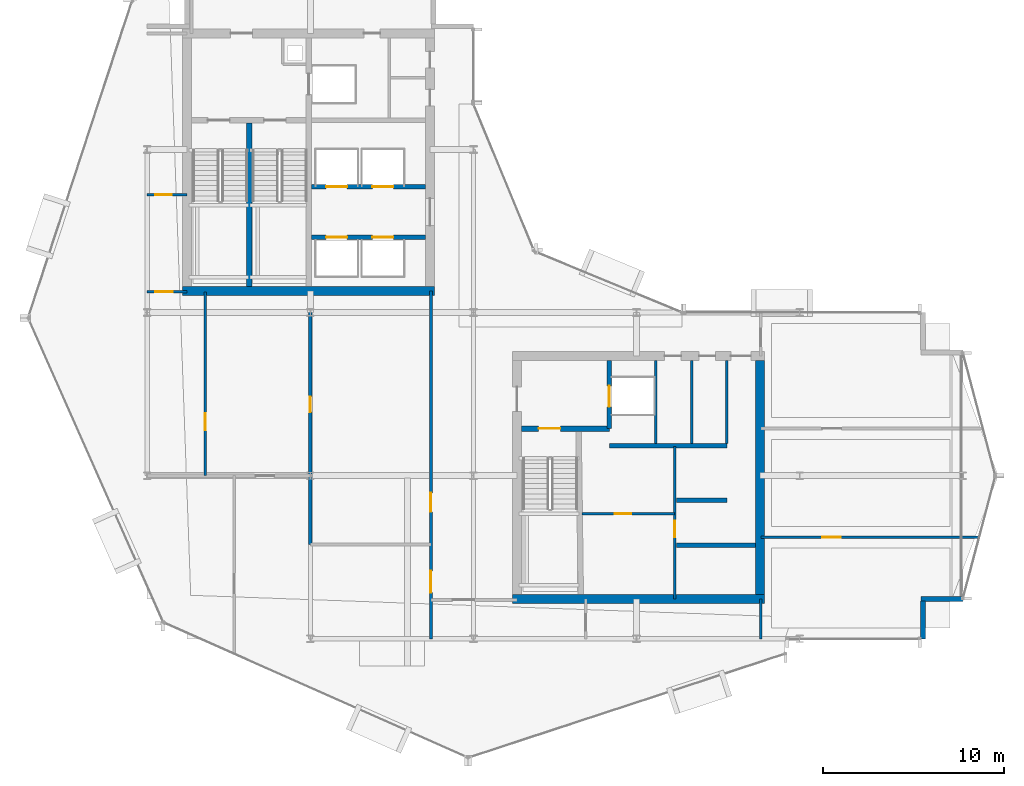
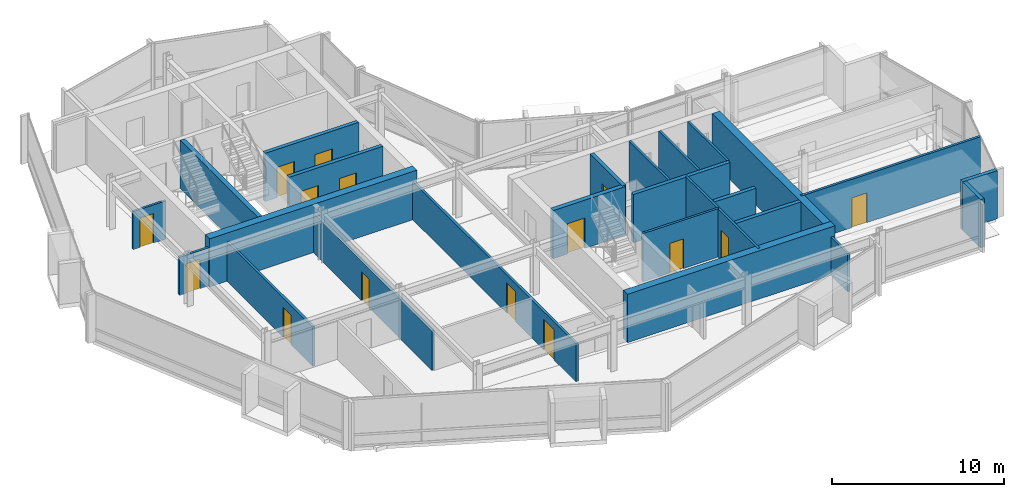
# One storey, part 20 of 28: 25 walls, 15 doors, 15 openings.
"""IFC4 building model written with IfcOpenShell, lengths in metres."""

from ifc_helpers import new_model, si_unit, direction, frame, frame_2d, origin, place, context, subcontext, project, spatial, rectangle, extrude, material, layer, layer_set, type_object, element, fill, save


model = new_model("IFC4")

# Units and contexts
model_context = context("Model", 3, precision=1e-05, world=origin(), true_north=direction((0.0, 1.0)))
body_context = subcontext(model_context, "Body", "Model", "MODEL_VIEW")
ifc_project = project(units=[si_unit("LENGTHUNIT", "METRE"), si_unit("AREAUNIT", "SQUARE_METRE"), si_unit("VOLUMEUNIT", "CUBIC_METRE"), si_unit("PLANEANGLEUNIT", "RADIAN"), si_unit("MASSUNIT", "GRAM", prefix="KILO")], contexts=[model_context])

# Site, building, storey
site_placement = place(None, origin())
site = spatial("IfcSite", under=ifc_project, at=site_placement, CompositionType="ELEMENT")
building_placement = place(site_placement, origin())
building = spatial("IfcBuilding", under=site, at=building_placement, Name="Solvaryn Broadcast Tower", CompositionType="ELEMENT")
storey_placement = place(building_placement, frame((0.0, 0.0, 206.199951171875)))
storey = spatial("IfcBuildingStorey", under=building, at=storey_placement, Name="L51", CompositionType="ELEMENT", Elevation=206.199951171875)

# Walls
ifc_material_1 = material(Name="Concrete f'c 70 MPa", Category="concrete")
ifc_layer_1 = layer(ifc_material_1, 0.5)
ifc_layer_set_1 = layer_set([ifc_layer_1], Name="CW-SHEAR-500")
wall_type_1 = type_object("IfcWallType", Name="CW-SHEAR-500", PredefinedType="SHEAR", material=ifc_layer_set_1)
for number, where, z_axis, x_axis, name in (
    (1, (10.949951171875, 28.199951171875, 0.0), (0.0, 0.0, 1.0), (1.0, 0.0, 0.0), "L51 West Core South Shear Wall"),
    (2, (29.14990234375, 11.199951171875, 0.0), (0.0, 0.0, 1.0), (1.0, 0.0, 0.0), "L51 East Core South Shear Wall"),
):
    element("IfcWall", number, at=place(storey_placement, frame(where, z_axis=z_axis, x_axis=x_axis)), inside=storey, type_object=wall_type_1, Name=name, PredefinedType="SHEAR", context=body_context, shape_type="SweptSolid", body=[
        extrude(rectangle(XDim=13.900146484375, YDim=0.5, at=frame_2d((6.9501953125, 0.0))), origin(), (0.0, 0.0, 1.0), 3.420166015625),
    ])
wall_1_placement = place(storey_placement, frame((42.800048828125, 11.449951171875, 0.0), z_axis=(0.0, 0.0, 1.0), x_axis=(0.0, 1.0, 0.0)))
element("IfcWall", 3, at=wall_1_placement, inside=storey, type_object=wall_type_1, Name="L51 East Core East Shear Wall", PredefinedType="SHEAR", context=body_context, shape_type="SweptSolid", body=[
    extrude(rectangle(XDim=12.900146484375, YDim=0.5, at=frame_2d((6.4501953125, 0.0))), origin(), (0.0, 0.0, 1.0), 3.420166015625),
])
ifc_material_2 = material(Name="Concrete f'c 50 MPa", Category="concrete")
ifc_layer_2 = layer(ifc_material_2, 0.260009765625)
ifc_layer_set_2 = layer_set([ifc_layer_2], Name="EW-PIER-260")
wall_type_2 = type_object("IfcWallType", Name="EW-PIER-260", PredefinedType="SOLIDWALL", material=ifc_layer_set_2)
wall_2_placement = place(storey_placement, frame((51.800048828125, 9.0, 0.0), z_axis=(0.0, 0.0, 1.0), x_axis=(0.0, 1.0, 0.0)))
element("IfcWall", 4, at=wall_2_placement, inside=storey, type_object=wall_type_2, Name="L51 Notched Corner Pier Wall NSE1", PredefinedType="SOLIDWALL", context=body_context, shape_type="SweptSolid", body=[
    extrude(rectangle(XDim=2.080078125, YDim=0.260009765625, at=frame_2d((1.0400390625, 0.0))), origin(), (0.0, 0.0, 1.0), 3.420166015625),
])
wall_3_placement = place(storey_placement, frame((51.679931640625, 11.199951171875, 0.0), z_axis=(0.0, 0.0, 1.0), x_axis=(1.0, 0.0, 0.0)))
element("IfcWall", 5, at=wall_3_placement, inside=storey, type_object=wall_type_2, Name="L51 Notched Corner Pier Wall NSE2", PredefinedType="SOLIDWALL", context=body_context, shape_type="SweptSolid", body=[
    extrude(rectangle(XDim=2.320068359375, YDim=0.260009765625, at=frame_2d((1.16015625, 0.0))), origin(), (0.0, 0.0, 1.0), 3.420166015625),
])

# Wall, opening, door
ifc_material_3 = material(Name="Metal-Stud Service Core Partition")
ifc_layer_3 = layer(ifc_material_3, 0.14990234375)
ifc_layer_set_3 = layer_set([ifc_layer_3], Name="IW-PART-150")
wall_type_3 = type_object("IfcWallType", Name="IW-PART-150", PredefinedType="PARTITIONING", material=ifc_layer_set_3)
wall_4_placement = place(storey_placement, frame((33.0, 15.89990234375, 0.0), z_axis=(0.0, 0.0, 1.0), x_axis=(1.0, 0.0, 0.0)))
wall_4 = element("IfcWall", 6, at=wall_4_placement, inside=storey, type_object=wall_type_3, Name="L51 Interior Partition IW-L51-RPL-H", PredefinedType="PARTITIONING", context=body_context, shape_type="SweptSolid", body=[
    extrude(rectangle(XDim=5.10009765625, YDim=0.14990234375, at=frame_2d((2.550048828125, 0.0))), origin(), (0.0, 0.0, 1.0), 3.420166015625),
])
opening_1_placement = place(wall_4_placement, frame((1.800048828125, 0.0, 0.0)))
opening_1 = element("IfcOpeningElement", 7, at=opening_1_placement, cuts=wall_4, Name="Opening FD60C", PredefinedType="OPENING", context=body_context, shape_type="SweptSolid", body=[
    extrude(rectangle(XDim=0.89990234375, YDim=2.10009765625, at=frame_2d((0.449951171875, 1.050048828125))), frame((0.0, 0.0849609375, 0.0), z_axis=(0.0, -1.0, 0.0), x_axis=(1.0, 0.0, 0.0)), (0.0, 0.0, 1.0), 0.169921875),
])
ifc_material_4 = material(Name="Flush Acoustic Steel and Timber Door Assembly", Category="steel")
door_type_1 = type_object("IfcDoorType", Name="FD60-SERV-900X2100", OperationType="NOTDEFINED", PredefinedType="DOOR", material=ifc_material_4)
door_1_placement = place(opening_1_placement, origin())
door_1 = element("IfcDoor", 8, at=door_1_placement, inside=storey, type_object=door_type_1, Name="L51 Door DR-L51-RPL1", OperationType="SINGLE_SWING_LEFT", OverallHeight=2.10009765625, OverallWidth=0.89990234375, PredefinedType="DOOR", context=body_context, shape_type="SweptSolid", body=[
    extrude(rectangle(XDim=0.89990234375, YDim=2.10009765625, at=frame_2d((0.449951171875, 1.050048828125))), frame((0.0, 0.02490234375, 0.0), z_axis=(0.0, -1.0, 0.0), x_axis=(1.0, 0.0, 0.0)), (0.0, 0.0, 1.0), 0.050048828125),
])
fill(opening_1, door_1)

wall_5_placement = place(storey_placement, frame((38.10009765625, 11.199951171875, 0.0), z_axis=(0.0, 0.0, 1.0), x_axis=(0.0, 1.0, 0.0)))
wall_5 = element("IfcWall", 9, at=wall_5_placement, inside=storey, type_object=wall_type_3, Name="L51 Interior Partition IW-L51-RPL-E", PredefinedType="PARTITIONING", context=body_context, shape_type="SweptSolid", body=[
    extrude(rectangle(XDim=8.400146484375, YDim=0.14990234375, at=frame_2d((4.2001953125, 0.0))), origin(), (0.0, 0.0, 1.0), 3.420166015625),
])
opening_2_placement = place(wall_5_placement, frame((3.39990234375, 0.0, 0.0)))
opening_2 = element("IfcOpeningElement", 10, at=opening_2_placement, cuts=wall_5, Name="Opening FD60C", PredefinedType="OPENING", context=body_context, shape_type="SweptSolid", body=[
    extrude(rectangle(XDim=0.89990234375, YDim=2.10009765625, at=frame_2d((0.449951171875, 1.050048828125))), frame((0.0, 0.0849609375, 0.0), z_axis=(0.0, -1.0, 0.0), x_axis=(1.0, 0.0, 0.0)), (0.0, 0.0, 1.0), 0.169921875),
])
door_2_placement = place(opening_2_placement, origin())
door_2 = element("IfcDoor", 11, at=door_2_placement, inside=storey, type_object=door_type_1, Name="L51 Door DR-L51-RPL2", OperationType="SINGLE_SWING_RIGHT", OverallHeight=2.10009765625, OverallWidth=0.89990234375, PredefinedType="DOOR", context=body_context, shape_type="SweptSolid", body=[
    extrude(rectangle(XDim=0.89990234375, YDim=2.10009765625, at=frame_2d((0.449951171875, 1.050048828125))), frame((0.0, 0.02490234375, 0.0), z_axis=(0.0, -1.0, 0.0), x_axis=(1.0, 0.0, 0.0)), (0.0, 0.0, 1.0), 0.050048828125),
])
fill(opening_2, door_2)

# Walls
for number, where, z_axis, x_axis, name in (
    (12, (37.050048828125, 19.780029296875, 0.0), (0.0, 0.0, 1.0), (0.0, 1.0, 0.0), "L51 Interior Partition IW-L51-CE-FL2E"),
    (13, (39.050048828125, 19.780029296875, 0.0), (0.0, 0.0, 1.0), (0.0, 1.0, 0.0), "L51 Interior Partition IW-L51-CE-V1"),
    (14, (40.97998046875, 19.780029296875, 0.0), (0.0, 0.0, 1.0), (0.0, 1.0, 0.0), "L51 Interior Partition IW-L51-CE-V3"),
):
    element("IfcWall", number, at=place(storey_placement, frame(where, z_axis=z_axis, x_axis=x_axis)), inside=storey, type_object=wall_type_3, Name=name, PredefinedType="PARTITIONING", context=body_context, shape_type="SweptSolid", body=[
        extrude(rectangle(XDim=4.570068359375, YDim=0.14990234375, at=frame_2d((2.28515625, 0.0))), origin(), (0.0, 0.0, 1.0), 3.420166015625),
    ])

# Wall, opening, door
wall_6_placement = place(storey_placement, frame((9.0, 33.5, 0.0), z_axis=(0.0, 0.0, 1.0), x_axis=(1.0, 0.0, 0.0)))
wall_6 = element("IfcWall", 15, at=wall_6_placement, inside=storey, type_object=wall_type_3, Name="L51 Interior Partition IW-L51-WM-M", PredefinedType="PARTITIONING", context=body_context, shape_type="SweptSolid", body=[
    extrude(rectangle(XDim=2.199951171875, YDim=0.14990234375, at=frame_2d((1.10009765625, 0.0))), origin(), (0.0, 0.0, 1.0), 2.70703125),
])
opening_3_placement = place(wall_6_placement, frame((0.449951171875, 0.0, 0.0)))
opening_3 = element("IfcOpeningElement", 16, at=opening_3_placement, cuts=wall_6, Name="Opening FD60C", PredefinedType="OPENING", context=body_context, shape_type="SweptSolid", body=[
    extrude(rectangle(XDim=0.89990234375, YDim=2.10009765625, at=frame_2d((0.449951171875, 1.050048828125))), frame((0.0, 0.0849609375, 0.0), z_axis=(0.0, -1.0, 0.0), x_axis=(1.0, 0.0, 0.0)), (0.0, 0.0, 1.0), 0.169921875),
])
door_3_placement = place(opening_3_placement, origin())
door_3 = element("IfcDoor", 17, at=door_3_placement, inside=storey, type_object=door_type_1, Name="L51 Door DR-L51-WM1", OperationType="SINGLE_SWING_LEFT", OverallHeight=2.10009765625, OverallWidth=0.89990234375, PredefinedType="DOOR", context=body_context, shape_type="SweptSolid", body=[
    extrude(rectangle(XDim=0.89990234375, YDim=2.10009765625, at=frame_2d((0.449951171875, 1.050048828125))), frame((0.0, 0.02490234375, 0.0), z_axis=(0.0, -1.0, 0.0), x_axis=(1.0, 0.0, 0.0)), (0.0, 0.0, 1.0), 0.050048828125),
])
fill(opening_3, door_3)

ifc_material_5 = material(Name="Metal-Stud Gypsum Office Partition")
ifc_layer_4 = layer(ifc_material_5, 0.159912109375)
ifc_layer_set_4 = layer_set([ifc_layer_4], Name="IW-PART-160")
wall_type_4 = type_object("IfcWallType", Name="IW-PART-160", PredefinedType="PARTITIONING", material=ifc_layer_set_4)
wall_7_placement = place(storey_placement, frame((9.0, 28.14990234375, 0.0), z_axis=(0.0, 0.0, 1.0), x_axis=(1.0, 0.0, 0.0)))
wall_7 = element("IfcWall", 18, at=wall_7_placement, inside=storey, type_object=wall_type_4, Name="L51 Interior Partition IW-L51-WM-S", PredefinedType="PARTITIONING", context=body_context, shape_type="SweptSolid", body=[
    extrude(rectangle(XDim=2.199951171875, YDim=0.159912109375, at=frame_2d((1.10009765625, 0.0))), origin(), (0.0, 0.0, 1.0), 2.70703125),
])
opening_4_placement = place(wall_7_placement, frame((0.449951171875, 0.0, 0.0)))
opening_4 = element("IfcOpeningElement", 19, at=opening_4_placement, cuts=wall_7, Name="Opening ID01", PredefinedType="OPENING", context=body_context, shape_type="SweptSolid", body=[
    extrude(rectangle(XDim=0.949951171875, YDim=2.10009765625, at=frame_2d((0.47509765625, 1.050048828125))), frame((0.0, 0.090087890625, 0.0), z_axis=(0.0, -1.0, 0.0), x_axis=(1.0, 0.0, 0.0)), (0.0, 0.0, 1.0), 0.179931640625),
])
ifc_material_6 = material(Name="Flush Acoustic Steel and Timber Door Assembly", Category="steel")
door_type_2 = type_object("IfcDoorType", Name="ID-01-950X2100", OperationType="NOTDEFINED", PredefinedType="DOOR", material=ifc_material_6)
door_4_placement = place(opening_4_placement, origin())
door_4 = element("IfcDoor", 20, at=door_4_placement, inside=storey, type_object=door_type_2, Name="L51 Door DR-L51-WM0", OperationType="SINGLE_SWING_RIGHT", OverallHeight=2.10009765625, OverallWidth=0.949951171875, PredefinedType="DOOR", context=body_context, shape_type="SweptSolid", body=[
    extrude(rectangle(XDim=0.949951171875, YDim=2.10009765625, at=frame_2d((0.47509765625, 1.050048828125))), frame((0.0, 0.02490234375, 0.0), z_axis=(0.0, -1.0, 0.0), x_axis=(1.0, 0.0, 0.0)), (0.0, 0.0, 1.0), 0.050048828125),
])
fill(opening_4, door_4)

# Wall, openings, doors
wall_8_placement = place(storey_placement, frame((24.64990234375, 9.0, 0.0), z_axis=(0.0, 0.0, 1.0), x_axis=(0.0, 1.0, 0.0)))
wall_8 = element("IfcWall", 21, at=wall_8_placement, inside=storey, type_object=wall_type_4, Name="L51 Interior Partition IW-L51-SW-EB", PredefinedType="PARTITIONING", context=body_context, shape_type="SweptSolid", body=[
    extrude(rectangle(XDim=19.199951171875, YDim=0.159912109375, at=frame_2d((9.60009765625, 0.0))), origin(), (0.0, 0.0, 1.0), 2.70703125),
])
opening_5_placement = place(wall_8_placement, frame((7.0, 0.0, 0.0)))
opening_5 = element("IfcOpeningElement", 22, at=opening_5_placement, cuts=wall_8, Name="Opening ID03", PredefinedType="OPENING", context=body_context, shape_type="SweptSolid", body=[
    extrude(rectangle(XDim=1.050048828125, YDim=2.14990234375, at=frame_2d((0.52490234375, 1.074951171875))), frame((0.0, 0.090087890625, 0.0), z_axis=(0.0, -1.0, 0.0), x_axis=(1.0, 0.0, 0.0)), (0.0, 0.0, 1.0), 0.179931640625),
])
opening_6_placement = place(wall_8_placement, frame((2.550048828125, 0.0, 0.0)))
opening_6 = element("IfcOpeningElement", 23, at=opening_6_placement, cuts=wall_8, Name="Opening ID04", PredefinedType="OPENING", context=body_context, shape_type="SweptSolid", body=[
    extrude(rectangle(XDim=1.199951171875, YDim=2.14990234375, at=frame_2d((0.60009765625, 1.074951171875))), frame((0.0, 0.090087890625, 0.0), z_axis=(0.0, -1.0, 0.0), x_axis=(1.0, 0.0, 0.0)), (0.0, 0.0, 1.0), 0.179931640625),
])
ifc_material_7 = material(Name="Flush Acoustic Steel and Timber Door Assembly", Category="steel")
door_type_3 = type_object("IfcDoorType", Name="ID-03-1050X2150", OperationType="NOTDEFINED", PredefinedType="DOOR", material=ifc_material_7)
door_5_placement = place(opening_5_placement, origin())
door_5 = element("IfcDoor", 24, at=door_5_placement, inside=storey, type_object=door_type_3, Name="L51 Door DR-L51-SWL-E1", OperationType="SINGLE_SWING_RIGHT", OverallHeight=2.14990234375, OverallWidth=1.050048828125, PredefinedType="DOOR", context=body_context, shape_type="SweptSolid", body=[
    extrude(rectangle(XDim=1.050048828125, YDim=2.14990234375, at=frame_2d((0.52490234375, 1.074951171875))), frame((0.0, 0.02490234375, 0.0), z_axis=(0.0, -1.0, 0.0), x_axis=(1.0, 0.0, 0.0)), (0.0, 0.0, 1.0), 0.050048828125),
])
fill(opening_5, door_5)
ifc_material_8 = material(Name="Flush Acoustic Steel and Timber Door Assembly", Category="steel")
door_type_4 = type_object("IfcDoorType", Name="ID-04-1200X2150", OperationType="NOTDEFINED", PredefinedType="DOOR", material=ifc_material_8)
door_6_placement = place(opening_6_placement, origin())
door_6 = element("IfcDoor", 25, at=door_6_placement, inside=storey, type_object=door_type_4, Name="L51 Door DR-L51-SWL-E2", OperationType="SINGLE_SWING_LEFT", OverallHeight=2.14990234375, OverallWidth=1.199951171875, PredefinedType="DOOR", context=body_context, shape_type="SweptSolid", body=[
    extrude(rectangle(XDim=1.199951171875, YDim=2.14990234375, at=frame_2d((0.60009765625, 1.074951171875))), frame((0.0, 0.02490234375, 0.0), z_axis=(0.0, -1.0, 0.0), x_axis=(1.0, 0.0, 0.0)), (0.0, 0.0, 1.0), 0.050048828125),
])
fill(opening_6, door_6)

# Wall, opening, door
wall_9_placement = place(storey_placement, frame((12.199951171875, 18.0, 0.0), z_axis=(0.0, 0.0, 1.0), x_axis=(0.0, 1.0, 0.0)))
wall_9 = element("IfcWall", 26, at=wall_9_placement, inside=storey, type_object=wall_type_4, Name="L51 Interior Partition IW-L51-SW-NWV", PredefinedType="PARTITIONING", context=body_context, shape_type="SweptSolid", body=[
    extrude(rectangle(XDim=10.1298828125, YDim=0.159912109375, at=frame_2d((5.06494140625, 0.0))), origin(), (0.0, 0.0, 1.0), 2.7890625),
])
opening_7_placement = place(wall_9_placement, frame((2.5, 0.0, 0.0)))
opening_7 = element("IfcOpeningElement", 27, at=opening_7_placement, cuts=wall_9, Name="Opening ID01", PredefinedType="OPENING", context=body_context, shape_type="SweptSolid", body=[
    extrude(rectangle(XDim=0.949951171875, YDim=2.10009765625, at=frame_2d((0.47509765625, 1.050048828125))), frame((0.0, 0.090087890625, 0.0), z_axis=(0.0, -1.0, 0.0), x_axis=(1.0, 0.0, 0.0)), (0.0, 0.0, 1.0), 0.179931640625),
])
door_7_placement = place(opening_7_placement, origin())
door_7 = element("IfcDoor", 28, at=door_7_placement, inside=storey, type_object=door_type_2, Name="L51 Door DR-L51-SWL-NW", OperationType="SINGLE_SWING_LEFT", OverallHeight=2.10009765625, OverallWidth=0.949951171875, PredefinedType="DOOR", context=body_context, shape_type="SweptSolid", body=[
    extrude(rectangle(XDim=0.949951171875, YDim=2.10009765625, at=frame_2d((0.47509765625, 1.050048828125))), frame((0.0, 0.02490234375, 0.0), z_axis=(0.0, -1.0, 0.0), x_axis=(1.0, 0.0, 0.0)), (0.0, 0.0, 1.0), 0.050048828125),
])
fill(opening_7, door_7)

# Wall
wall_10_placement = place(storey_placement, frame((42.85009765625, 9.0, 0.0), z_axis=(0.0, 0.0, 1.0), x_axis=(0.0, 1.0, 0.0)))
element("IfcWall", 29, at=wall_10_placement, inside=storey, type_object=wall_type_4, Name="L51 Interior Partition IW-L51-SC-E", PredefinedType="PARTITIONING", context=body_context, shape_type="SweptSolid", body=[
    extrude(rectangle(XDim=2.199951171875, YDim=0.159912109375, at=frame_2d((1.10009765625, 0.0))), origin(), (0.0, 0.0, 1.0), 2.70703125),
])

# Wall, opening, door
wall_11_placement = place(storey_placement, frame((42.85009765625, 14.60009765625, 0.0), z_axis=(0.0, 0.0, 1.0), x_axis=(1.0, 0.0, 0.0)))
wall_11 = element("IfcWall", 30, at=wall_11_placement, inside=storey, type_object=wall_type_4, Name="L51 Interior Partition IW-L51-EW-H1", PredefinedType="PARTITIONING", context=body_context, shape_type="SweptSolid", body=[
    extrude(rectangle(XDim=12.0498046875, YDim=0.159912109375, at=frame_2d((6.02490234375, 0.0))), origin(), (0.0, 0.0, 1.0), 3.420166015625),
])
opening_8_placement = place(wall_11_placement, frame((3.39990234375, 0.0, 0.0)))
opening_8 = element("IfcOpeningElement", 31, at=opening_8_placement, cuts=wall_11, Name="Opening ID02", PredefinedType="OPENING", context=body_context, shape_type="SweptSolid", body=[
    extrude(rectangle(XDim=1.0, YDim=2.10009765625, at=frame_2d((0.5, 1.050048828125))), frame((0.0, 0.090087890625, 0.0), z_axis=(0.0, -1.0, 0.0), x_axis=(1.0, 0.0, 0.0)), (0.0, 0.0, 1.0), 0.179931640625),
])
ifc_material_9 = material(Name="Flush Acoustic Steel and Timber Door Assembly", Category="steel")
door_type_5 = type_object("IfcDoorType", Name="ID-02-1000X2100", OperationType="NOTDEFINED", PredefinedType="DOOR", material=ifc_material_9)
door_8_placement = place(opening_8_placement, origin())
door_8 = element("IfcDoor", 32, at=door_8_placement, inside=storey, type_object=door_type_5, Name="L51 Door DR-L51-EW-1", OperationType="SINGLE_SWING_LEFT", OverallHeight=2.10009765625, OverallWidth=1.0, PredefinedType="DOOR", context=body_context, shape_type="SweptSolid", body=[
    extrude(rectangle(XDim=1.0, YDim=2.10009765625, at=frame_2d((0.5, 1.050048828125))), frame((0.0, 0.02490234375, 0.0), z_axis=(0.0, -1.0, 0.0), x_axis=(1.0, 0.0, 0.0)), (0.0, 0.0, 1.0), 0.050048828125),
])
fill(opening_8, door_8)

ifc_material_10 = material(Name="Acoustic Metal-Stud Gypsum Partition")
ifc_layer_5 = layer(ifc_material_10, 0.179931640625)
ifc_layer_set_5 = layer_set([ifc_layer_5], Name="IW-PART-180")
wall_type_5 = type_object("IfcWallType", Name="IW-PART-180", PredefinedType="PARTITIONING", material=ifc_layer_set_5)
wall_12_placement = place(storey_placement, frame((18.0, 14.199951171875, 0.0), z_axis=(0.0, 0.0, 1.0), x_axis=(0.0, 1.0, 0.0)))
wall_12 = element("IfcWall", 33, at=wall_12_placement, inside=storey, type_object=wall_type_5, Name="L51 Interior Partition IW-L51-SW-LV", PredefinedType="PARTITIONING", context=body_context, shape_type="SweptSolid", body=[
    extrude(rectangle(XDim=13.929931640625, YDim=0.179931640625, at=frame_2d((6.96484375, 0.0))), origin(), (0.0, 0.0, 1.0), 2.7890625),
])
opening_9_placement = place(wall_12_placement, frame((7.300048828125, 0.0, 0.0)))
opening_9 = element("IfcOpeningElement", 34, at=opening_9_placement, cuts=wall_12, Name="Opening ID07", PredefinedType="OPENING", context=body_context, shape_type="SweptSolid", body=[
    extrude(rectangle(XDim=0.860107421875, YDim=2.050048828125, at=frame_2d((0.43017578125, 1.02490234375))), frame((0.0, 0.099853515625, 0.0), z_axis=(0.0, -1.0, 0.0), x_axis=(1.0, 0.0, 0.0)), (0.0, 0.0, 1.0), 0.199951171875),
])
ifc_material_11 = material(Name="Flush Acoustic Steel and Timber Door Assembly", Category="steel")
door_type_6 = type_object("IfcDoorType", Name="ID-07-860X2050", OperationType="NOTDEFINED", PredefinedType="DOOR", material=ifc_material_11)
door_9_placement = place(opening_9_placement, origin())
door_9 = element("IfcDoor", 35, at=door_9_placement, inside=storey, type_object=door_type_6, Name="L51 Door DR-L51-SWL-LV", OperationType="SINGLE_SWING_RIGHT", OverallHeight=2.050048828125, OverallWidth=0.860107421875, PredefinedType="DOOR", context=body_context, shape_type="SweptSolid", body=[
    extrude(rectangle(XDim=0.860107421875, YDim=2.050048828125, at=frame_2d((0.43017578125, 1.02490234375))), frame((0.0, 0.02490234375, 0.0), z_axis=(0.0, -1.0, 0.0), x_axis=(1.0, 0.0, 0.0)), (0.0, 0.0, 1.0), 0.050048828125),
])
fill(opening_9, door_9)

# Wall, openings, doors
ifc_material_12 = material(Name="Concrete f'c 60 MPa", Category="concrete")
ifc_layer_6 = layer(ifc_material_12, 0.25)
ifc_layer_set_6 = layer_set([ifc_layer_6], Name="SW-SHAFT-250")
wall_type_6 = type_object("IfcWallType", Name="SW-SHAFT-250", PredefinedType="PARTITIONING", material=ifc_layer_set_6)
wall_13_placement = place(storey_placement, frame((18.070068359375, 31.14990234375, 0.0), z_axis=(0.0, 0.0, 1.0), x_axis=(1.0, 0.0, 0.0)))
wall_13 = element("IfcWall", 36, at=wall_13_placement, inside=storey, type_object=wall_type_6, Name="L51 High-Rise Lift Bank South Wall", PredefinedType="PARTITIONING", context=body_context, shape_type="SweptSolid", body=[
    extrude(rectangle(XDim=6.280029296875, YDim=0.25, at=frame_2d((3.14013671875, 0.0))), origin(), (0.0, 0.0, 1.0), 3.420166015625),
])
opening_10_placement = place(wall_13_placement, frame((0.804931640625, 0.0, 0.0)))
opening_10 = element("IfcOpeningElement", 37, at=opening_10_placement, cuts=wall_13, Name="Opening LD01", PredefinedType="OPENING", context=body_context, shape_type="SweptSolid", body=[
    extrude(rectangle(XDim=1.14990234375, YDim=2.14990234375, at=frame_2d((0.574951171875, 1.074951171875))), frame((0.0, 0.135009765625, 0.0), z_axis=(0.0, -1.0, 0.0), x_axis=(1.0, 0.0, 0.0)), (0.0, 0.0, 1.0), 0.27001953125),
])
opening_11_placement = place(wall_13_placement, frame((3.35498046875, 0.0, 0.0)))
opening_11 = element("IfcOpeningElement", 38, at=opening_11_placement, cuts=wall_13, Name="Opening LD01", PredefinedType="OPENING", context=body_context, shape_type="SweptSolid", body=[
    extrude(rectangle(XDim=1.14990234375, YDim=2.14990234375, at=frame_2d((0.574951171875, 1.074951171875))), frame((0.0, 0.135009765625, 0.0), z_axis=(0.0, -1.0, 0.0), x_axis=(1.0, 0.0, 0.0)), (0.0, 0.0, 1.0), 0.27001953125),
])
ifc_material_13 = material(Name="Flush Acoustic Steel and Timber Door Assembly", Category="steel")
door_type_7 = type_object("IfcDoorType", Name="LD-LIFT-1150X2150", OperationType="NOTDEFINED", PredefinedType="DOOR", material=ifc_material_13)
door_10_placement = place(opening_10_placement, origin())
door_10 = element("IfcDoor", 39, at=door_10_placement, inside=storey, type_object=door_type_7, Name="L51 PH1 Lift Landing Door", OperationType="DOUBLE_DOOR_SLIDING", OverallHeight=2.14990234375, OverallWidth=1.14990234375, PredefinedType="DOOR", context=body_context, shape_type="SweptSolid", body=[
    extrude(rectangle(XDim=1.14990234375, YDim=2.14990234375, at=frame_2d((0.574951171875, 1.074951171875))), frame((0.0, 0.02490234375, 0.0), z_axis=(0.0, -1.0, 0.0), x_axis=(1.0, 0.0, 0.0)), (0.0, 0.0, 1.0), 0.050048828125),
])
fill(opening_10, door_10)
door_11_placement = place(opening_11_placement, origin())
door_11 = element("IfcDoor", 40, at=door_11_placement, inside=storey, type_object=door_type_7, Name="L51 PH2 Lift Landing Door", OperationType="DOUBLE_DOOR_SLIDING", OverallHeight=2.14990234375, OverallWidth=1.14990234375, PredefinedType="DOOR", context=body_context, shape_type="SweptSolid", body=[
    extrude(rectangle(XDim=1.14990234375, YDim=2.14990234375, at=frame_2d((0.574951171875, 1.074951171875))), frame((0.0, 0.02490234375, 0.0), z_axis=(0.0, -1.0, 0.0), x_axis=(1.0, 0.0, 0.0)), (0.0, 0.0, 1.0), 0.050048828125),
])
fill(opening_11, door_11)

wall_14_placement = place(storey_placement, frame((24.35009765625, 33.949951171875, 0.0), z_axis=(0.0, 0.0, 1.0), x_axis=(-1.0, 0.0, 0.0)))
wall_14 = element("IfcWall", 41, at=wall_14_placement, inside=storey, type_object=wall_type_6, Name="L51 High-Rise Lift Bank North Wall", PredefinedType="PARTITIONING", context=body_context, shape_type="SweptSolid", body=[
    extrude(rectangle(XDim=6.280029296875, YDim=0.25, at=frame_2d((3.14013671875, 0.0))), origin(), (0.0, 0.0, 1.0), 3.420166015625),
])
opening_12_placement = place(wall_14_placement, frame((4.324951171875, 0.0, 0.0)))
opening_12 = element("IfcOpeningElement", 42, at=opening_12_placement, cuts=wall_14, Name="Opening LD01", PredefinedType="OPENING", context=body_context, shape_type="SweptSolid", body=[
    extrude(rectangle(XDim=1.14990234375, YDim=2.14990234375, at=frame_2d((0.574951171875, 1.074951171875))), frame((0.0, 0.135009765625, 0.0), z_axis=(0.0, -1.0, 0.0), x_axis=(1.0, 0.0, 0.0)), (0.0, 0.0, 1.0), 0.27001953125),
])
opening_13_placement = place(wall_14_placement, frame((1.77490234375, 0.0, 0.0)))
opening_13 = element("IfcOpeningElement", 43, at=opening_13_placement, cuts=wall_14, Name="Opening LD01", PredefinedType="OPENING", context=body_context, shape_type="SweptSolid", body=[
    extrude(rectangle(XDim=1.14990234375, YDim=2.14990234375, at=frame_2d((0.574951171875, 1.074951171875))), frame((0.0, 0.135009765625, 0.0), z_axis=(0.0, -1.0, 0.0), x_axis=(1.0, 0.0, 0.0)), (0.0, 0.0, 1.0), 0.27001953125),
])
door_12_placement = place(opening_12_placement, origin())
door_12 = element("IfcDoor", 44, at=door_12_placement, inside=storey, type_object=door_type_7, Name="L51 PH3 Lift Landing Door", OperationType="DOUBLE_DOOR_SLIDING", OverallHeight=2.14990234375, OverallWidth=1.14990234375, PredefinedType="DOOR", context=body_context, shape_type="SweptSolid", body=[
    extrude(rectangle(XDim=1.14990234375, YDim=2.14990234375, at=frame_2d((0.574951171875, 1.074951171875))), frame((0.0, 0.02490234375, 0.0), z_axis=(0.0, -1.0, 0.0), x_axis=(1.0, 0.0, 0.0)), (0.0, 0.0, 1.0), 0.050048828125),
])
fill(opening_12, door_12)
door_13_placement = place(opening_13_placement, origin())
door_13 = element("IfcDoor", 45, at=door_13_placement, inside=storey, type_object=door_type_7, Name="L51 PH4 Lift Landing Door", OperationType="DOUBLE_DOOR_SLIDING", OverallHeight=2.14990234375, OverallWidth=1.14990234375, PredefinedType="DOOR", context=body_context, shape_type="SweptSolid", body=[
    extrude(rectangle(XDim=1.14990234375, YDim=2.14990234375, at=frame_2d((0.574951171875, 1.074951171875))), frame((0.0, 0.02490234375, 0.0), z_axis=(0.0, -1.0, 0.0), x_axis=(1.0, 0.0, 0.0)), (0.0, 0.0, 1.0), 0.050048828125),
])
fill(opening_13, door_13)

# Wall, opening, door
wall_15_placement = place(storey_placement, frame((34.5, 20.60009765625, 0.0), z_axis=(0.0, 0.0, 1.0), x_axis=(0.0, 1.0, 0.0)))
wall_15 = element("IfcWall", 46, at=wall_15_placement, inside=storey, type_object=wall_type_6, Name="L51 East FSAE Lobby East Wall", PredefinedType="PARTITIONING", context=body_context, shape_type="SweptSolid", body=[
    extrude(rectangle(XDim=3.75, YDim=0.25, at=frame_2d((1.875, 0.0))), origin(), (0.0, 0.0, 1.0), 3.420166015625),
])
opening_14_placement = place(wall_15_placement, frame((1.199951171875, 0.0, 0.0)))
opening_14 = element("IfcOpeningElement", 47, at=opening_14_placement, cuts=wall_15, Name="Opening LD01", PredefinedType="OPENING", context=body_context, shape_type="SweptSolid", body=[
    extrude(rectangle(XDim=1.14990234375, YDim=2.14990234375, at=frame_2d((0.574951171875, 1.074951171875))), frame((0.0, 0.135009765625, 0.0), z_axis=(0.0, -1.0, 0.0), x_axis=(1.0, 0.0, 0.0)), (0.0, 0.0, 1.0), 0.27001953125),
])
door_14_placement = place(opening_14_placement, origin())
door_14 = element("IfcDoor", 48, at=door_14_placement, inside=storey, type_object=door_type_7, Name="L51 FL2 Lift Landing Door", OperationType="DOUBLE_DOOR_SLIDING", OverallHeight=2.14990234375, OverallWidth=1.14990234375, PredefinedType="DOOR", context=body_context, shape_type="SweptSolid", body=[
    extrude(rectangle(XDim=1.14990234375, YDim=2.14990234375, at=frame_2d((0.574951171875, 1.074951171875))), frame((0.0, 0.02490234375, 0.0), z_axis=(0.0, -1.0, 0.0), x_axis=(1.0, 0.0, 0.0)), (0.0, 0.0, 1.0), 0.050048828125),
])
fill(opening_14, door_14)

# Walls
wall_16_placement = place(storey_placement, frame((34.5, 19.64990234375, 0.0), z_axis=(0.0, 0.0, 1.0), x_axis=(1.0, 0.0, 0.0)))
element("IfcWall", 49, at=wall_16_placement, inside=storey, type_object=wall_type_6, Name="L51 East Core Restroom South Wall", PredefinedType="PARTITIONING", context=body_context, shape_type="SweptSolid", body=[
    extrude(rectangle(XDim=6.47998046875, YDim=0.25, at=frame_2d((3.239990234375, 0.0))), origin(), (0.0, 0.0, 1.0), 3.420166015625),
])
wall_17_placement = place(storey_placement, frame((38.199951171875, 14.14990234375, 0.0), z_axis=(0.0, 0.0, 1.0), x_axis=(1.0, 0.0, 0.0)))
element("IfcWall", 50, at=wall_17_placement, inside=storey, type_object=wall_type_6, Name="L51 East Lift Bank South Wall", PredefinedType="PARTITIONING", context=body_context, shape_type="SweptSolid", body=[
    extrude(rectangle(XDim=4.35009765625, YDim=0.25, at=frame_2d((2.175048828125, 0.0))), origin(), (0.0, 0.0, 1.0), 3.420166015625),
])
wall_18_placement = place(storey_placement, frame((40.97998046875, 16.64990234375, 0.0), z_axis=(0.0, 0.0, 1.0), x_axis=(-1.0, 0.0, 0.0)))
element("IfcWall", 51, at=wall_18_placement, inside=storey, type_object=wall_type_6, Name="L51 East Lift Bank North Wall", PredefinedType="PARTITIONING", context=body_context, shape_type="SweptSolid", body=[
    extrude(rectangle(XDim=2.780029296875, YDim=0.25, at=frame_2d((1.39013671875, 0.0))), origin(), (0.0, 0.0, 1.0), 3.420166015625),
])
ifc_material_14 = material(Name="Concrete f'c 70 MPa", Category="concrete")
ifc_layer_7 = layer(ifc_material_14, 0.300048828125)
ifc_layer_set_7 = layer_set([ifc_layer_7], Name="SW-SHAFT-300")
wall_type_7 = type_object("IfcWallType", Name="SW-SHAFT-300", PredefinedType="SHEAR", material=ifc_layer_set_7)
wall_19_placement = place(storey_placement, frame((14.6201171875, 28.449951171875, 0.0), z_axis=(0.0, 0.0, 1.0), x_axis=(0.0, 1.0, 0.0)))
element("IfcWall", 52, at=wall_19_placement, inside=storey, type_object=wall_type_7, Name="L51 Stair 1-2 Dividing Wall", PredefinedType="SHEAR", context=body_context, shape_type="SweptSolid", body=[
    extrude(rectangle(XDim=9.0, YDim=0.300048828125, at=frame_2d((4.5, 0.0))), origin(), (0.0, 0.0, 1.0), 3.420166015625),
])

# Wall, opening, door
wall_20_placement = place(storey_placement, frame((34.5, 20.60009765625, 0.0), z_axis=(0.0, 0.0, 1.0), x_axis=(-1.0, 0.0, 0.0)))
wall_20 = element("IfcWall", 53, at=wall_20_placement, inside=storey, type_object=wall_type_7, Name="L51 East FSAE Lobby South Wall", PredefinedType="SHEAR", context=body_context, shape_type="SweptSolid", body=[
    extrude(rectangle(XDim=4.85009765625, YDim=0.300048828125, at=frame_2d((2.425048828125, 0.0))), origin(), (0.0, 0.0, 1.0), 3.420166015625),
])
opening_15_placement = place(wall_20_placement, frame((2.699951171875, 0.0, 0.0)))
opening_15 = element("IfcOpeningElement", 54, at=opening_15_placement, cuts=wall_20, Name="Opening FD90A", PredefinedType="OPENING", context=body_context, shape_type="SweptSolid", body=[
    extrude(rectangle(XDim=1.199951171875, YDim=2.14990234375, at=frame_2d((0.60009765625, 1.074951171875))), frame((0.0, 0.159912109375, 0.0), z_axis=(0.0, -1.0, 0.0), x_axis=(1.0, 0.0, 0.0)), (0.0, 0.0, 1.0), 0.320068359375),
])
ifc_material_15 = material(Name="Flush Acoustic Steel and Timber Door Assembly", Category="steel")
door_type_8 = type_object("IfcDoorType", Name="FD90-STAIR-1200X2150", OperationType="NOTDEFINED", PredefinedType="DOOR", material=ifc_material_15)
door_15_placement = place(opening_15_placement, origin())
door_15 = element("IfcDoor", 55, at=door_15_placement, inside=storey, type_object=door_type_8, Name="L51 Stair 3 Fire Door", OperationType="SINGLE_SWING_LEFT", OverallHeight=2.14990234375, OverallWidth=1.199951171875, PredefinedType="DOOR", context=body_context, shape_type="SweptSolid", body=[
    extrude(rectangle(XDim=1.199951171875, YDim=2.14990234375, at=frame_2d((0.60009765625, 1.074951171875))), frame((0.0, 0.02490234375, 0.0), z_axis=(0.0, -1.0, 0.0), x_axis=(1.0, 0.0, 0.0)), (0.0, 0.0, 1.0), 0.050048828125),
])
fill(opening_15, door_15)

save(model, "model.ifc")
